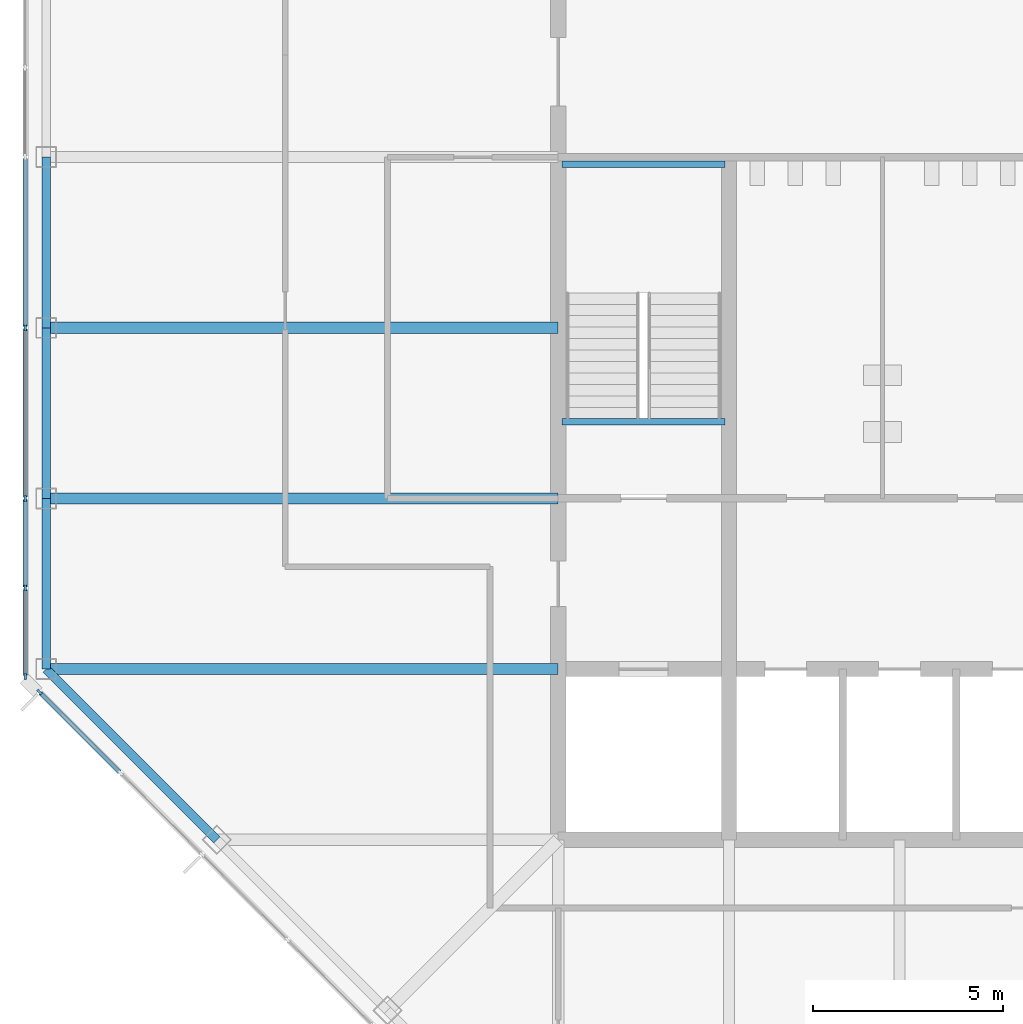
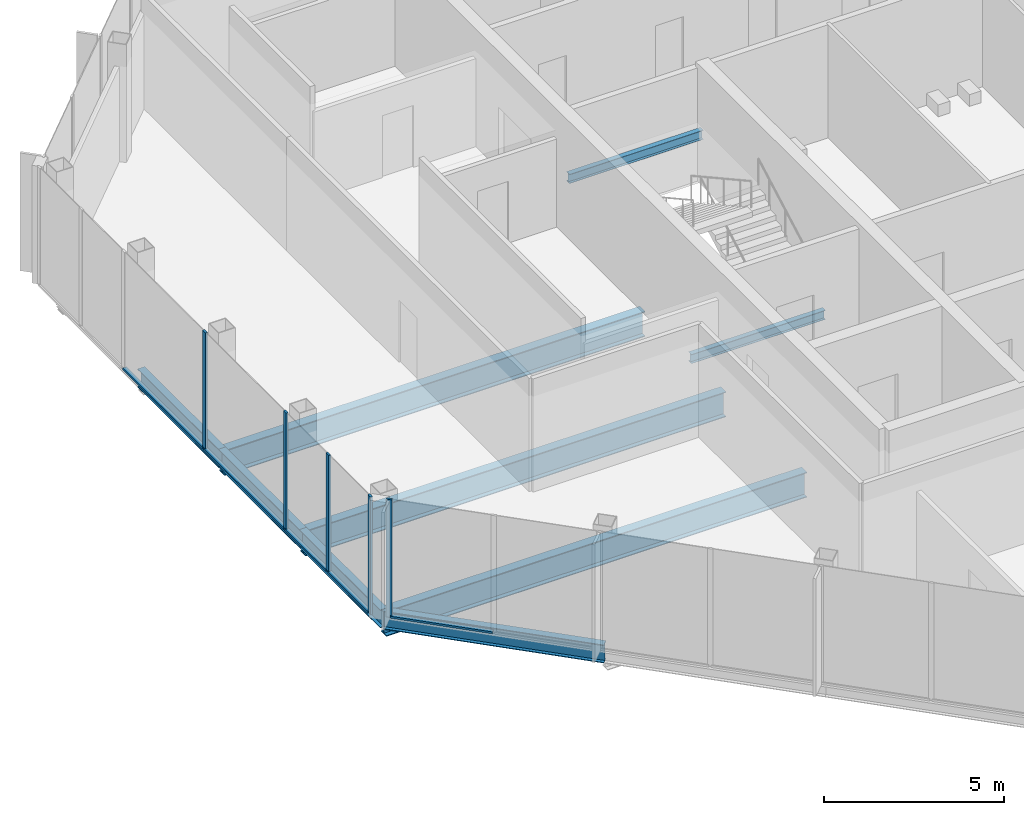
# One storey, part 3 of 13: 10 members, 9 beams, 2 elements without a shape of their own.
"""IFC4 building model written with IfcOpenShell, lengths in metres."""

from ifc_helpers import new_model, si_unit, direction, frame, origin, origin_2d, place, context, subcontext, project, spatial, rectangle, i_section, extrude, material, material_profile, profile_set, type_object, element, aggregate, save


model = new_model("IFC4")

# Units and contexts
model_context = context("Model", 3, precision=1e-05, world=origin(), true_north=direction((0.0, 1.0)))
body_context = subcontext(model_context, "Body", "Model", "MODEL_VIEW")
ifc_project = project(units=[si_unit("LENGTHUNIT", "METRE"), si_unit("AREAUNIT", "SQUARE_METRE"), si_unit("VOLUMEUNIT", "CUBIC_METRE"), si_unit("PLANEANGLEUNIT", "RADIAN"), si_unit("MASSUNIT", "GRAM", prefix="KILO")], contexts=[model_context])

# Site, building, storey
site_placement = place(None, origin())
site = spatial("IfcSite", under=ifc_project, at=site_placement, CompositionType="ELEMENT")
building_placement = place(site_placement, origin())
building = spatial("IfcBuilding", under=site, at=building_placement, Name="Corais Broadcast Tower", CompositionType="ELEMENT")
storey_placement = place(building_placement, frame((0.0, 0.0, 306.60009765625)))
storey = spatial("IfcBuildingStorey", under=building, at=storey_placement, Name="L72", CompositionType="ELEMENT", Elevation=306.60009765625)

# Beams
ifc_material_1 = material(Name="Steel ASTM A572 Grade 50", Category="steel")
ifc_material_profile_1 = material_profile(ifc_material_1, i_section(OverallWidth=0.2939453125, OverallDepth=0.85107421875, WebThickness=0.01611328125, FlangeThickness=0.02685546875, at=origin_2d()), Name="W840x226")
ifc_profile_set_1 = profile_set([ifc_material_profile_1], Name="Steel ASTM A572 Grade 50")
beam_type_1 = type_object("IfcBeamType", Name="Floor beam W840x226", PredefinedType="BEAM", material=ifc_profile_set_1)
for number, where, z_axis, x_axis, name in (
    (1, (0.0, 18.0, -0.585693359375), (1.0, 0.0, 0.0), (0.0, 1.0, 0.0), "B1 E/3 to E/6"),
    (2, (0.0, 22.5, -0.585693359375), (1.0, 0.0, 0.0), (0.0, 1.0, 0.0), "B1 F/3 to F/6"),
    (3, (0.0, 27.0, -0.585693359375), (1.0, 0.0, 0.0), (0.0, 1.0, 0.0), "B1 G/3 to G/6"),
):
    element("IfcBeam", number, at=place(storey_placement, frame(where, z_axis=z_axis, x_axis=x_axis)), inside=storey, type_object=beam_type_1, Name=name, PredefinedType="BEAM", context=body_context, shape_type="SweptSolid", body=[
        extrude(i_section(OverallWidth=0.2939453125, OverallDepth=0.85107421875, WebThickness=0.01611328125, FlangeThickness=0.02685546875, at=origin_2d()), origin(), (0.0, 0.0, 1.0), 13.5),
    ])
ifc_material_2 = material(Name="Steel ASTM A572 Grade 50", Category="steel")
ifc_material_profile_2 = material_profile(ifc_material_2, i_section(OverallWidth=0.1650390625, OverallDepth=0.31005859375, WebThickness=0.005859375, FlangeThickness=0.009765625, at=origin_2d()), Name="W310x38.7")
ifc_profile_set_2 = profile_set([ifc_material_profile_2], Name="Steel ASTM A572 Grade 50")
beam_type_2 = type_object("IfcBeamType", Name="Landing trimmer W310x38.7", PredefinedType="BEAM", material=ifc_profile_set_2)
for number, where, z_axis, x_axis, name in (
    (4, (13.60009765625, 24.52490234375, -0.35498046875), (1.0, 0.0, 0.0), (0.0, 1.0, 0.0), "LT1 stair A landing trimmer L72"),
    (5, (13.60009765625, 31.31005859375, 1.64501953125), (1.0, 0.0, 0.0), (0.0, 1.0, 0.0), "LT1 stair A half landing trimmer L72"),
):
    element("IfcBeam", number, at=place(storey_placement, frame(where, z_axis=z_axis, x_axis=x_axis)), inside=storey, type_object=beam_type_2, Name=name, PredefinedType="BEAM", context=body_context, shape_type="SweptSolid", body=[
        extrude(i_section(OverallWidth=0.1650390625, OverallDepth=0.31005859375, WebThickness=0.005859375, FlangeThickness=0.009765625, at=origin_2d()), origin(), (0.0, 0.0, 1.0), 4.2998046875),
    ])

# Curtain wall, member
ifc_material_3 = material(Name="Aluminium and glass", Category="aluminium")
curtain_wall_type = type_object("IfcCurtainWallType", Name="Unitised fritted curtain wall CW3", PredefinedType="NOTDEFINED", material=ifc_material_3)
curtain_wall_1_placement = place(storey_placement, origin())
curtain_wall_1 = element("IfcCurtainWall", 6, at=curtain_wall_1_placement, inside=storey, type_object=curtain_wall_type, Name="CW3 curtain wall L72 1", PredefinedType="NOTDEFINED")
ifc_material_4 = material(Name="Aluminium 6063-T6", Category="aluminium")
ifc_material_profile_3 = material_profile(ifc_material_4, rectangle(XDim=0.06494140625, YDim=0.159912109375, at=origin_2d()), Name="Mullion CW3 65x160")
ifc_profile_set_3 = profile_set([ifc_material_profile_3], Name="Aluminium 6063-T6")
member_type_1 = type_object("IfcMemberType", Name="Mullion CW3 65x160", PredefinedType="MULLION", material=ifc_profile_set_3)
member_1_placement = place(storey_placement, frame((-0.17333984375, 17.3955078125, 0.0), z_axis=(0.0, 0.0, 1.0), x_axis=(-0.707106781187, -0.707106781187, 0.0)))
member_1 = element("IfcMember", 7, at=member_1_placement, type_object=member_type_1, Name="CW3 mullion 9", PredefinedType="MULLION", context=body_context, shape_type="SweptSolid", body=[
    extrude(rectangle(XDim=0.06494140625, YDim=0.159912109375, at=origin_2d()), origin(), (0.0, 0.0, 1.0), 4.0),
])

# Curtain wall, members
curtain_wall_2_placement = place(storey_placement, origin())
curtain_wall_2 = element("IfcCurtainWall", 8, at=curtain_wall_2_placement, inside=storey, type_object=curtain_wall_type, Name="CW3 curtain wall L72 2", PredefinedType="NOTDEFINED")
member_2_placement = place(storey_placement, frame((-0.550048828125, 17.8046875, 0.0), z_axis=(0.0, 0.0, 1.0), x_axis=(-1.0, 0.0, 0.0)))
member_2 = element("IfcMember", 9, at=member_2_placement, type_object=member_type_1, Name="CW3 mullion 1", PredefinedType="MULLION", context=body_context, shape_type="SweptSolid", body=[
    extrude(rectangle(XDim=0.06494140625, YDim=0.159912109375, at=origin_2d()), origin(), (0.0, 0.0, 1.0), 4.0),
])
member_3_placement = place(storey_placement, frame((-0.550048828125, 20.135986328125, 0.0), z_axis=(0.0, 0.0, 1.0), x_axis=(-1.0, 0.0, 0.0)))
member_3 = element("IfcMember", 10, at=member_3_placement, type_object=member_type_1, Name="CW3 mullion 2", PredefinedType="MULLION", context=body_context, shape_type="SweptSolid", body=[
    extrude(rectangle(XDim=0.06494140625, YDim=0.159912109375, at=origin_2d()), origin(), (0.0, 0.0, 1.0), 4.0),
])
member_4_placement = place(storey_placement, frame((-0.550048828125, 22.5, 0.0), z_axis=(0.0, 0.0, 1.0), x_axis=(-1.0, 0.0, 0.0)))
member_4 = element("IfcMember", 11, at=member_4_placement, type_object=member_type_1, Name="CW3 mullion 3", PredefinedType="MULLION", context=body_context, shape_type="SweptSolid", body=[
    extrude(rectangle(XDim=0.06494140625, YDim=0.159912109375, at=origin_2d()), origin(), (0.0, 0.0, 1.0), 4.0),
])
member_5_placement = place(storey_placement, frame((-0.550048828125, 27.0, 0.0), z_axis=(0.0, 0.0, 1.0), x_axis=(-1.0, 0.0, 0.0)))
member_5 = element("IfcMember", 12, at=member_5_placement, type_object=member_type_1, Name="CW3 mullion 4", PredefinedType="MULLION", context=body_context, shape_type="SweptSolid", body=[
    extrude(rectangle(XDim=0.06494140625, YDim=0.159912109375, at=origin_2d()), origin(), (0.0, 0.0, 1.0), 4.0),
])

# Beams
ifc_material_5 = material(Name="Steel ASTM A572 Grade 50", Category="steel")
ifc_material_profile_4 = material_profile(ifc_material_5, i_section(OverallWidth=0.22998046875, OverallDepth=0.616943359375, WebThickness=0.01318359375, FlangeThickness=0.022216796875, at=origin_2d()), Name="W610x140")
ifc_profile_set_4 = profile_set([ifc_material_profile_4], Name="Steel ASTM A572 Grade 50")
beam_type_3 = type_object("IfcBeamType", Name="Spandrel W610x140", PredefinedType="BEAM", material=ifc_profile_set_4)
beam_placement = place(storey_placement, frame((0.0, 18.0, -0.468505859375), z_axis=(0.707106781187, -0.707106781187, 0.0), x_axis=(0.707106781187, 0.707106781187, 0.0)))
element("IfcBeam", 13, at=beam_placement, inside=storey, type_object=beam_type_3, Name="SB3 E/3 to D/4", PredefinedType="BEAM", context=body_context, shape_type="SweptSolid", body=[
    extrude(i_section(OverallWidth=0.22998046875, OverallDepth=0.616943359375, WebThickness=0.01318359375, FlangeThickness=0.022216796875, at=origin_2d()), origin(), (0.0, 0.0, 1.0), 6.364013671875),
])
for number, where, z_axis, x_axis, name in (
    (14, (0.0, 22.5, -0.468505859375), (0.0, -1.0, 0.0), (1.0, 0.0, 0.0), "SB3 F/3 to E/3"),
    (15, (0.0, 27.0, -0.468505859375), (0.0, -1.0, 0.0), (1.0, 0.0, 0.0), "SB3 G/3 to F/3"),
    (16, (0.0, 31.5, -0.468505859375), (0.0, -1.0, 0.0), (1.0, 0.0, 0.0), "SB3 H/3 to G/3"),
):
    element("IfcBeam", number, at=place(storey_placement, frame(where, z_axis=z_axis, x_axis=x_axis)), inside=storey, type_object=beam_type_3, Name=name, PredefinedType="BEAM", context=body_context, shape_type="SweptSolid", body=[
        extrude(i_section(OverallWidth=0.22998046875, OverallDepth=0.616943359375, WebThickness=0.01318359375, FlangeThickness=0.022216796875, at=origin_2d()), origin(), (0.0, 0.0, 1.0), 4.5),
    ])

# Member
ifc_material_6 = material(Name="Aluminium 6063-T6", Category="aluminium")
ifc_material_profile_5 = material_profile(ifc_material_6, rectangle(XDim=0.1201171875, YDim=0.06494140625, at=origin_2d()), Name="Transom CW3 65x120")
ifc_profile_set_5 = profile_set([ifc_material_profile_5], Name="Aluminium 6063-T6")
member_type_2 = type_object("IfcMemberType", Name="Transom CW3 65x120", PredefinedType="USERDEFINED", material=ifc_profile_set_5)
member_6_placement = place(storey_placement, frame((1.934326171875, 15.287841796875, 0.032470703125), z_axis=(-0.707106781187, 0.707106781187, 0.0), x_axis=(-0.707106781187, -0.707106781187, 0.0)))
member_6 = element("IfcMember", 17, at=member_6_placement, type_object=member_type_2, Name="CW3 transom 8.1", ObjectType="TRANSOM", PredefinedType="USERDEFINED", context=body_context, shape_type="SweptSolid", body=[
    extrude(rectangle(XDim=0.1201171875, YDim=0.06494140625, at=origin_2d()), origin(), (0.0, 0.0, 1.0), 2.9482421875),
])

aggregate(curtain_wall_1, [member_1, member_6])

member_7_placement = place(storey_placement, frame((-0.550048828125, 17.837158203125, 0.032470703125), z_axis=(0.0, 1.0, 0.0), x_axis=(-1.0, 0.0, 0.0)))
member_7 = element("IfcMember", 18, at=member_7_placement, type_object=member_type_2, Name="CW3 transom 1.1", ObjectType="TRANSOM", PredefinedType="USERDEFINED", context=body_context, shape_type="SweptSolid", body=[
    extrude(rectangle(XDim=0.1201171875, YDim=0.06494140625, at=origin_2d()), origin(), (0.0, 0.0, 1.0), 2.266357421875),
])

member_8_placement = place(storey_placement, frame((-0.550048828125, 20.168701171875, 0.032470703125), z_axis=(0.0, 1.0, 0.0), x_axis=(-1.0, 0.0, 0.0)))
member_8 = element("IfcMember", 19, at=member_8_placement, type_object=member_type_2, Name="CW3 transom 2.1", ObjectType="TRANSOM", PredefinedType="USERDEFINED", context=body_context, shape_type="SweptSolid", body=[
    extrude(rectangle(XDim=0.1201171875, YDim=0.06494140625, at=origin_2d()), origin(), (0.0, 0.0, 1.0), 2.298828125),
])

member_9_placement = place(storey_placement, frame((-0.550048828125, 22.532470703125, 0.032470703125), z_axis=(0.0, 1.0, 0.0), x_axis=(-1.0, 0.0, 0.0)))
member_9 = element("IfcMember", 20, at=member_9_placement, type_object=member_type_2, Name="CW3 transom 3.1", ObjectType="TRANSOM", PredefinedType="USERDEFINED", context=body_context, shape_type="SweptSolid", body=[
    extrude(rectangle(XDim=0.1201171875, YDim=0.06494140625, at=origin_2d()), origin(), (0.0, 0.0, 1.0), 4.43505859375),
])

member_10_placement = place(storey_placement, frame((-0.550048828125, 27.032470703125, 0.032470703125), z_axis=(0.0, 1.0, 0.0), x_axis=(-1.0, 0.0, 0.0)))
member_10 = element("IfcMember", 21, at=member_10_placement, type_object=member_type_2, Name="CW3 transom 4.1", ObjectType="TRANSOM", PredefinedType="USERDEFINED", context=body_context, shape_type="SweptSolid", body=[
    extrude(rectangle(XDim=0.1201171875, YDim=0.06494140625, at=origin_2d()), origin(), (0.0, 0.0, 1.0), 4.43505859375),
])

aggregate(curtain_wall_2, [member_2, member_3, member_4, member_5, member_7, member_8, member_9, member_10])

save(model, "model.ifc")
